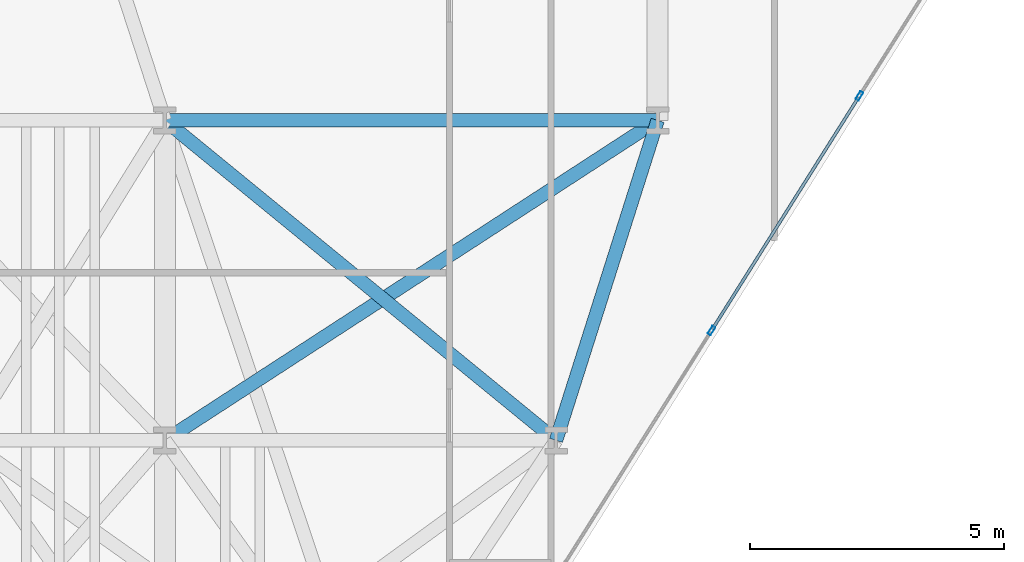
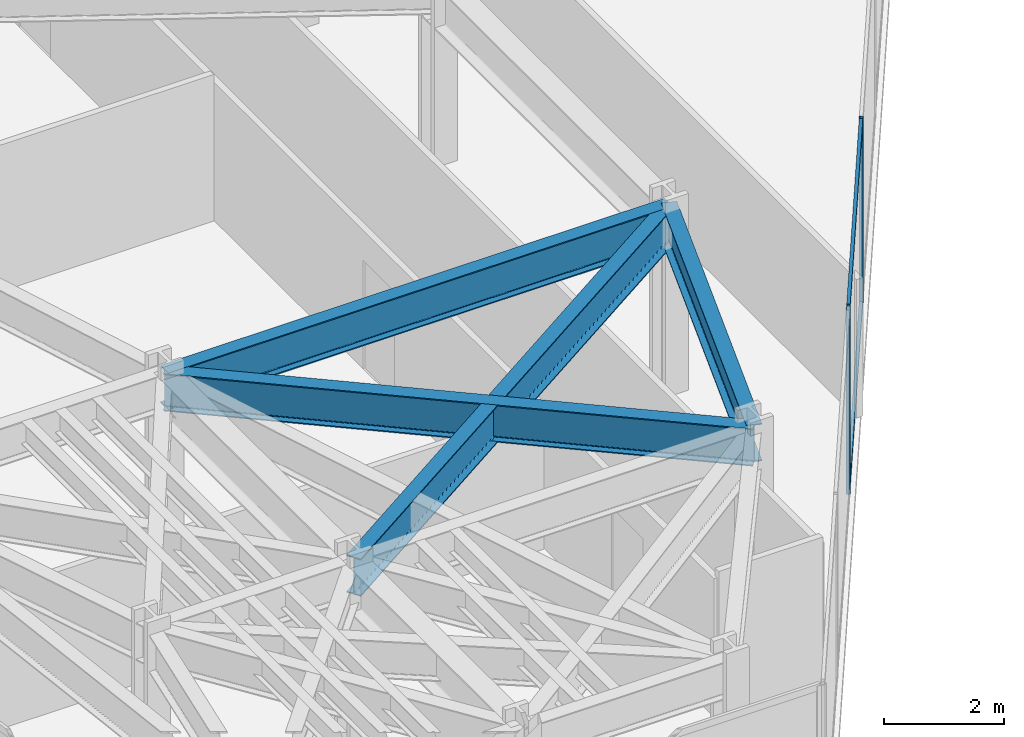
# One storey, part 6 of 24: 4 beams, 4 members, 1 element without a shape of its own.
"""IFC4 building model written with IfcOpenShell, lengths in metres."""

from ifc_helpers import new_model, si_unit, direction, frame, origin, origin_2d, place, context, subcontext, project, spatial, hollow_rectangle, i_section, extrude, material, layer, layer_set, material_profile, profile_set, type_object, element, aggregate, save


model = new_model("IFC4")

# Units and contexts
model_context = context("Model", 3, precision=1e-05, world=origin(), true_north=direction((0.0, 1.0)))
body_context = subcontext(model_context, "Body", "Model", "MODEL_VIEW")
ifc_project = project(units=[si_unit("LENGTHUNIT", "METRE"), si_unit("AREAUNIT", "SQUARE_METRE"), si_unit("VOLUMEUNIT", "CUBIC_METRE"), si_unit("PLANEANGLEUNIT", "RADIAN"), si_unit("MASSUNIT", "GRAM", prefix="KILO")], contexts=[model_context])

# Site, building, storey
site_placement = place(None, origin())
site = spatial("IfcSite", under=ifc_project, at=site_placement, CompositionType="ELEMENT")
building_placement = place(site_placement, origin())
building = spatial("IfcBuilding", under=site, at=building_placement, Name="Kravanh Interchange Tower", CompositionType="ELEMENT")
storey_placement = place(building_placement, frame((0.0, 0.0, 45.5)))
storey = spatial("IfcBuildingStorey", under=building, at=storey_placement, Name="L10", CompositionType="ELEMENT", Elevation=45.5)

# Curtain wall, members
ifc_material_1 = material(Name="Anodised Bronze Aluminium", Category="aluminium")
ifc_layer = layer(ifc_material_1, 0.179931640625)
ifc_layer_set = layer_set([ifc_layer], Name="Unitised Curtain Wall System CW-Z1 Lower Office")
curtain_wall_type = type_object("IfcCurtainWallType", Name="Unitised Curtain Wall System CW-Z1 Lower Office", PredefinedType="NOTDEFINED", material=ifc_layer_set)
curtain_wall_placement = place(storey_placement, origin())
curtain_wall = element("IfcCurtainWall", 1, at=curtain_wall_placement, inside=storey, type_object=curtain_wall_type, Name="L10 Unitised Curtain Wall CW-L10-05", PredefinedType="NOTDEFINED")
ifc_material_2 = material(Name="Anodised Bronze Aluminium", Category="aluminium")
ifc_material_profile_1 = material_profile(ifc_material_2, hollow_rectangle(XDim=0.070068359375, YDim=0.179931640625, WallThickness=0.00390625, at=origin_2d()), Name="ALU70X180X4")
ifc_profile_set_1 = profile_set([ifc_material_profile_1], Name="Anodised Bronze Aluminium")
member_type_1 = type_object("IfcMemberType", Name="Curtain Wall Mullion ALU70X180X4 Bronze", PredefinedType="MULLION", material=ifc_profile_set_1)
member_1_placement = place(storey_placement, frame((31.173583984375, 14.98291015625, 0.0), z_axis=(0.0, 0.0, 1.0), x_axis=(0.845925530786, -0.53330103728, 0.0)))
member_1 = element("IfcMember", 2, at=member_1_placement, type_object=member_type_1, Name="CW-Z1 mullion 3", PredefinedType="MULLION", context=body_context, shape_type="SweptSolid", body=[
    extrude(hollow_rectangle(XDim=0.070068359375, YDim=0.179931640625, WallThickness=0.00390625, at=origin_2d()), origin(), (0.0, 0.0, 1.0), 3.739990234375),
])
member_2_placement = place(storey_placement, frame((28.26025390625, 10.362060546875, 0.0), z_axis=(0.0, 0.0, 1.0), x_axis=(0.845925530786, -0.53330103728, 0.0)))
member_2 = element("IfcMember", 3, at=member_2_placement, type_object=member_type_1, Name="CW-Z1 mullion 4", PredefinedType="MULLION", context=body_context, shape_type="SweptSolid", body=[
    extrude(hollow_rectangle(XDim=0.070068359375, YDim=0.179931640625, WallThickness=0.00390625, at=origin_2d()), origin(), (0.0, 0.0, 1.0), 3.739990234375),
])
ifc_material_3 = material(Name="Anodised Bronze Aluminium", Category="aluminium")
ifc_material_profile_2 = material_profile(ifc_material_3, hollow_rectangle(XDim=0.06005859375, YDim=0.139892578125, WallThickness=0.00390625, at=origin_2d()), Name="ALU60X140X4")
ifc_profile_set_2 = profile_set([ifc_material_profile_2], Name="Anodised Bronze Aluminium")
member_type_2 = type_object("IfcMemberType", Name="Curtain Wall Transom ALU60X140X4 Bronze", PredefinedType="USERDEFINED", material=ifc_profile_set_2)
member_3_placement = place(storey_placement, frame((31.15478515625, 14.953369140625, 0.030029296875), z_axis=(-0.533279090152, -0.845939366626, 0.0), x_axis=(0.845939366626, -0.533279090152, 0.0)))
member_3 = element("IfcMember", 4, at=member_3_placement, type_object=member_type_2, Name="CW-Z1 transom 3.1", ObjectType="TRANSOM", PredefinedType="USERDEFINED", context=body_context, shape_type="SweptSolid", body=[
    extrude(hollow_rectangle(XDim=0.06005859375, YDim=0.139892578125, WallThickness=0.00390625, at=origin_2d()), origin(), (0.0, 0.0, 1.0), 5.392578125),
])
member_4_placement = place(storey_placement, frame((31.15478515625, 14.953369140625, 3.7099609375), z_axis=(-0.533279090152, -0.845939366626, 0.0), x_axis=(0.845939366626, -0.533279090152, 0.0)))
member_4 = element("IfcMember", 5, at=member_4_placement, type_object=member_type_2, Name="CW-Z1 transom 3.2", ObjectType="TRANSOM", PredefinedType="USERDEFINED", context=body_context, shape_type="SweptSolid", body=[
    extrude(hollow_rectangle(XDim=0.06005859375, YDim=0.139892578125, WallThickness=0.00390625, at=origin_2d()), origin(), (0.0, 0.0, 1.0), 5.392578125),
])
aggregate(curtain_wall, [member_1, member_2, member_3, member_4])

# Beams
ifc_material_4 = material(Name="Structural Steel S355", Category="steel")
ifc_material_profile_3 = material_profile(ifc_material_4, i_section(OverallWidth=0.26708984375, OverallDepth=0.761962890625, WebThickness=0.014404296875, FlangeThickness=0.021484375, FilletRadius=0.02490234375, at=origin_2d()), Name="W30X116")
ifc_profile_set_3 = profile_set([ifc_material_profile_3], Name="Structural Steel S355")
beam_type = type_object("IfcBeamType", Name="Floor Spandrel W30X116 Structural Steel S355", PredefinedType="SPANDREL", material=ifc_profile_set_3)
beam_1_placement = place(storey_placement, frame((17.5, 8.199951171875, 3.35888671875), z_axis=(0.838637911458, 0.544689318295, 0.0), x_axis=(-0.544689318295, 0.838637911458, 0.0)))
element("IfcBeam", 6, at=beam_1_placement, inside=storey, type_object=beam_type, Name="L10 Perimeter Spandrel 139", PredefinedType="SPANDREL", context=body_context, shape_type="SweptSolid", body=[
    extrude(i_section(OverallWidth=0.26708984375, OverallDepth=0.761962890625, WebThickness=0.014404296875, FlangeThickness=0.021484375, FilletRadius=0.02490234375, at=origin_2d()), origin(), (0.0, 0.0, 1.0), 11.56640625),
])
beam_2_placement = place(storey_placement, frame((25.199951171875, 8.199951171875, 3.35888671875), z_axis=(0.30257700201, 0.953124943465, 0.0), x_axis=(-0.953124943465, 0.30257700201, 0.0)))
element("IfcBeam", 7, at=beam_2_placement, inside=storey, type_object=beam_type, Name="L10 Perimeter Spandrel 140", PredefinedType="SPANDREL", context=body_context, shape_type="SweptSolid", body=[
    extrude(i_section(OverallWidth=0.26708984375, OverallDepth=0.761962890625, WebThickness=0.014404296875, FlangeThickness=0.021484375, FilletRadius=0.02490234375, at=origin_2d()), origin(), (0.0, 0.0, 1.0), 6.60986328125),
])
beam_3_placement = place(storey_placement, frame((25.199951171875, 8.199951171875, 3.35888671875), z_axis=(-0.773952925799, 0.633243135491, 0.0), x_axis=(-0.633243135491, -0.773952925799, 0.0)))
element("IfcBeam", 8, at=beam_3_placement, inside=storey, type_object=beam_type, Name="L10 Perimeter Spandrel 141", PredefinedType="SPANDREL", context=body_context, shape_type="SweptSolid", body=[
    extrude(i_section(OverallWidth=0.26708984375, OverallDepth=0.761962890625, WebThickness=0.014404296875, FlangeThickness=0.021484375, FilletRadius=0.02490234375, at=origin_2d()), origin(), (0.0, 0.0, 1.0), 9.948974609375),
])
beam_4_placement = place(storey_placement, frame((17.5, 14.5, 3.35888671875), z_axis=(1.0, 0.0, 0.0), x_axis=(0.0, 1.0, 0.0)))
element("IfcBeam", 9, at=beam_4_placement, inside=storey, type_object=beam_type, Name="L10 Perimeter Spandrel 144", PredefinedType="SPANDREL", context=body_context, shape_type="SweptSolid", body=[
    extrude(i_section(OverallWidth=0.26708984375, OverallDepth=0.761962890625, WebThickness=0.014404296875, FlangeThickness=0.021484375, FilletRadius=0.02490234375, at=origin_2d()), origin(), (0.0, 0.0, 1.0), 9.699951171875),
])

save(model, "model.ifc")
